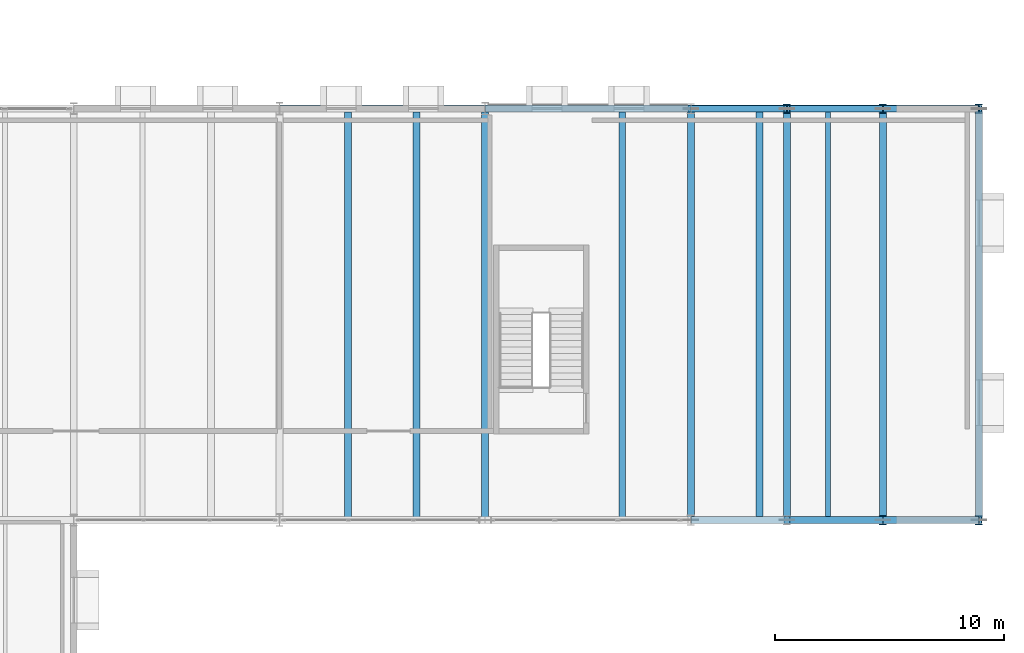
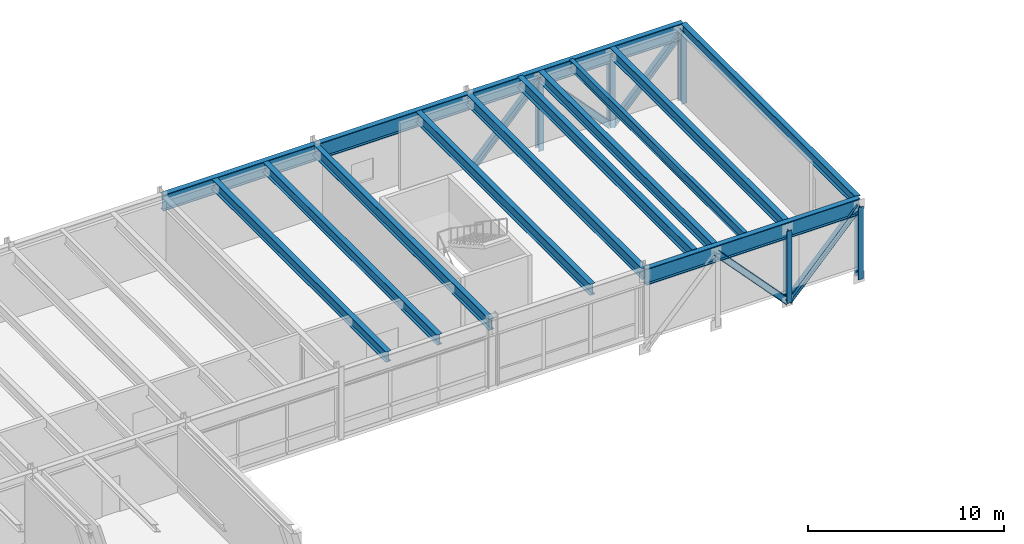
# One storey, part 92 of 142: 14 beams, 10 members.
"""IFC4 building model written with IfcOpenShell, lengths in metres."""

from ifc_helpers import new_model, si_unit, direction, frame, origin, origin_2d, place, context, subcontext, project, spatial, i_section, extrude, material, material_profile, profile_set, type_object, element, save


model = new_model("IFC4")

# Units and contexts
model_context = context("Model", 3, precision=1e-05, world=origin(), true_north=direction((0.0, 1.0)))
body_context = subcontext(model_context, "Body", "Model", "MODEL_VIEW")
ifc_project = project(units=[si_unit("LENGTHUNIT", "METRE"), si_unit("AREAUNIT", "SQUARE_METRE"), si_unit("VOLUMEUNIT", "CUBIC_METRE"), si_unit("PLANEANGLEUNIT", "RADIAN"), si_unit("MASSUNIT", "GRAM", prefix="KILO")], contexts=[model_context])

# Site, building, storey
site_placement = place(None, origin())
site = spatial("IfcSite", under=ifc_project, at=site_placement, CompositionType="ELEMENT")
building_placement = place(site_placement, origin())
building = spatial("IfcBuilding", under=site, at=building_placement, Name="Montelvaro Courts of Justice", CompositionType="ELEMENT")
storey_placement = place(building_placement, frame((0.0, 0.0, 14.39990234375)))
storey = spatial("IfcBuildingStorey", under=building, at=storey_placement, Name="L03", CompositionType="ELEMENT", Elevation=14.39990234375)

# Beams
ifc_material = material(Name="Steel S355", Category="steel")
ifc_material_profile_1 = material_profile(ifc_material, i_section(OverallWidth=0.300048828125, OverallDepth=0.639892578125, WebThickness=0.013427734375, FlangeThickness=0.02587890625, at=origin_2d()), Name="HEA 650")
ifc_profile_set_1 = profile_set([ifc_material_profile_1], Name="Steel S355")
beam_type_1 = type_object("IfcBeamType", Name="Beam_HEA650", PredefinedType="USERDEFINED", material=ifc_profile_set_1)
beam_1_placement = place(storey_placement, frame((150.0, 78.110107421875, 3.880126953125), z_axis=(0.0, 1.0, 0.0), x_axis=(-1.0, 0.0, 0.0)))
element("IfcBeam", 1, at=beam_1_placement, inside=storey, type_object=beam_type_1, Name="Beam B-22 L03", ObjectType="GIRDER", PredefinedType="USERDEFINED", context=body_context, shape_type="SweptSolid", body=[
    extrude(i_section(OverallWidth=0.300048828125, OverallDepth=0.639892578125, WebThickness=0.013427734375, FlangeThickness=0.02587890625, at=origin_2d()), origin(), (0.0, 0.0, 1.0), 17.77978515625),
])
ifc_material_profile_2 = material_profile(ifc_material, i_section(OverallWidth=0.300048828125, OverallDepth=0.68994140625, WebThickness=0.014404296875, FlangeThickness=0.027099609375, at=origin_2d()), Name="HEA 700")
ifc_profile_set_2 = profile_set([ifc_material_profile_2], Name="Steel S355")
beam_type_2 = type_object("IfcBeamType", Name="Beam_HEA700", PredefinedType="USERDEFINED", material=ifc_profile_set_2)
beam_2_placement = place(storey_placement, frame((162.0, 78.0, 3.85498046875), z_axis=(0.0, 1.0, 0.0), x_axis=(-1.0, 0.0, 0.0)))
element("IfcBeam", 2, at=beam_2_placement, inside=storey, type_object=beam_type_2, Name="Beam B-23 L03", ObjectType="GIRDER", PredefinedType="USERDEFINED", context=body_context, shape_type="SweptSolid", body=[
    extrude(i_section(OverallWidth=0.300048828125, OverallDepth=0.68994140625, WebThickness=0.014404296875, FlangeThickness=0.027099609375, at=origin_2d()), origin(), (0.0, 0.0, 1.0), 18.0),
])
for number, where, z_axis, x_axis, name in (
    (3, (159.0, 78.110107421875, 3.85498046875), (0.0, 1.0, 0.0), (-1.0, 0.0, 0.0), "Beam B-23 L03"),
    (4, (165.0, 78.110107421875, 3.905029296875), (0.0, 1.0, 0.0), (-1.0, 0.0, 0.0), "Beam B-23 L03"),
):
    element("IfcBeam", number, at=place(storey_placement, frame(where, z_axis=z_axis, x_axis=x_axis)), inside=storey, type_object=beam_type_2, Name=name, ObjectType="GIRDER", PredefinedType="USERDEFINED", context=body_context, shape_type="SweptSolid", body=[
        extrude(i_section(OverallWidth=0.300048828125, OverallDepth=0.68994140625, WebThickness=0.014404296875, FlangeThickness=0.027099609375, at=origin_2d()), origin(), (0.0, 0.0, 1.0), 17.77978515625),
    ])
ifc_material_profile_3 = material_profile(ifc_material, i_section(OverallWidth=0.300048828125, OverallDepth=0.64990234375, WebThickness=0.01611328125, FlangeThickness=0.031005859375, at=origin_2d()), Name="HEB 650")
ifc_profile_set_3 = profile_set([ifc_material_profile_3], Name="Steel S355")
beam_type_3 = type_object("IfcBeamType", Name="Beam_HEB650", PredefinedType="USERDEFINED", material=ifc_profile_set_3)
for number, where, z_axis, x_axis, name in (
    (5, (166.199951171875, 78.110107421875, 3.875), (0.0, 1.0, 0.0), (-1.0, 0.0, 0.0), "Beam B-27 L03"),
    (6, (170.39990234375, 78.110107421875, 3.875), (0.0, 1.0, 0.0), (-1.0, 0.0, 0.0), "Beam B-27 L03"),
    (7, (174.60009765625, 78.110107421875, 3.875), (0.0, 1.0, 0.0), (-1.0, 0.0, 0.0), "Beam B-27 L03"),
    (8, (147.0, 78.110107421875, 3.875), (0.0, 1.0, 0.0), (-1.0, 0.0, 0.0), "Beam B-27 L03"),
):
    element("IfcBeam", number, at=place(storey_placement, frame(where, z_axis=z_axis, x_axis=x_axis)), inside=storey, type_object=beam_type_3, Name=name, ObjectType="GIRDER", PredefinedType="USERDEFINED", context=body_context, shape_type="SweptSolid", body=[
        extrude(i_section(OverallWidth=0.300048828125, OverallDepth=0.64990234375, WebThickness=0.01611328125, FlangeThickness=0.031005859375, at=origin_2d()), origin(), (0.0, 0.0, 1.0), 17.77978515625),
    ])
ifc_material_profile_4 = material_profile(ifc_material, i_section(OverallWidth=0.300048828125, OverallDepth=0.699951171875, WebThickness=0.01708984375, FlangeThickness=0.031982421875, at=origin_2d()), Name="HEB 700")
ifc_profile_set_4 = profile_set([ifc_material_profile_4], Name="Steel S355")
beam_type_4 = type_object("IfcBeamType", Name="Beam_HEB700", PredefinedType="USERDEFINED", material=ifc_profile_set_4)
beam_3_placement = place(storey_placement, frame((153.0, 78.0, 3.85009765625), z_axis=(0.0, 1.0, 0.0), x_axis=(-1.0, 0.0, 0.0)))
element("IfcBeam", 9, at=beam_3_placement, inside=storey, type_object=beam_type_4, Name="Beam B-28 L03", ObjectType="GIRDER", PredefinedType="USERDEFINED", context=body_context, shape_type="SweptSolid", body=[
    extrude(i_section(OverallWidth=0.300048828125, OverallDepth=0.699951171875, WebThickness=0.01708984375, FlangeThickness=0.031982421875, at=origin_2d()), origin(), (0.0, 0.0, 1.0), 18.0),
])
ifc_material_profile_5 = material_profile(ifc_material, i_section(OverallWidth=0.302001953125, OverallDepth=1.008056640625, WebThickness=0.02099609375, FlangeThickness=0.0400390625, at=origin_2d()), Name="HEM 1000")
ifc_profile_set_5 = profile_set([ifc_material_profile_5], Name="Steel S355")
beam_type_5 = type_object("IfcBeamType", Name="Beam_HEM1000", PredefinedType="USERDEFINED", material=ifc_profile_set_5)
beam_4_placement = place(storey_placement, frame((162.0, 78.0, 3.696044921875), z_axis=(1.0, 0.0, 0.0), x_axis=(0.0, 1.0, 0.0)))
element("IfcBeam", 10, at=beam_4_placement, inside=storey, type_object=beam_type_5, Name="Pratt Cantilever Truss Chord CTR-V2-S-L04-OVH", ObjectType="GIRDER", PredefinedType="USERDEFINED", context=body_context, shape_type="SweptSolid", body=[
    extrude(i_section(OverallWidth=0.302001953125, OverallDepth=1.008056640625, WebThickness=0.02099609375, FlangeThickness=0.0400390625, at=origin_2d()), origin(), (0.0, 0.0, 1.0), 12.60009765625),
])
for number, where, z_axis, x_axis, name in (
    (11, (144.0, 96.0, 3.696044921875), (1.0, 0.0, 0.0), (0.0, 1.0, 0.0), "Pratt Cantilever Truss Chord CTR-V2-N-L04-BS2"),
    (12, (153.0, 96.0, 3.696044921875), (1.0, 0.0, 0.0), (0.0, 1.0, 0.0), "Pratt Cantilever Truss Chord CTR-V2-N-L04-BS3"),
):
    element("IfcBeam", number, at=place(storey_placement, frame(where, z_axis=z_axis, x_axis=x_axis)), inside=storey, type_object=beam_type_5, Name=name, ObjectType="GIRDER", PredefinedType="USERDEFINED", context=body_context, shape_type="SweptSolid", body=[
        extrude(i_section(OverallWidth=0.302001953125, OverallDepth=1.008056640625, WebThickness=0.02099609375, FlangeThickness=0.0400390625, at=origin_2d()), origin(), (0.0, 0.0, 1.0), 9.0),
    ])
beam_5_placement = place(storey_placement, frame((162.0, 96.0, 3.696044921875), z_axis=(1.0, 0.0, 0.0), x_axis=(0.0, 1.0, 0.0)))
element("IfcBeam", 13, at=beam_5_placement, inside=storey, type_object=beam_type_5, Name="Pratt Cantilever Truss Chord CTR-V2-N-L04-OVH", ObjectType="GIRDER", PredefinedType="USERDEFINED", context=body_context, shape_type="SweptSolid", body=[
    extrude(i_section(OverallWidth=0.302001953125, OverallDepth=1.008056640625, WebThickness=0.02099609375, FlangeThickness=0.0400390625, at=origin_2d()), origin(), (0.0, 0.0, 1.0), 12.60009765625),
])
ifc_material_profile_6 = material_profile(ifc_material, i_section(OverallWidth=0.219970703125, OverallDepth=0.60009765625, WebThickness=0.011962890625, FlangeThickness=0.01904296875, at=origin_2d()), Name="IPE 600")
ifc_profile_set_6 = profile_set([ifc_material_profile_6], Name="Steel S355")
beam_type_6 = type_object("IfcBeamType", Name="Beam_IPE600", PredefinedType="USERDEFINED", material=ifc_profile_set_6)
beam_6_placement = place(storey_placement, frame((168.0, 78.110107421875, 3.9501953125), z_axis=(0.0, 1.0, 0.0), x_axis=(-1.0, 0.0, 0.0)))
element("IfcBeam", 14, at=beam_6_placement, inside=storey, type_object=beam_type_6, Name="Beam B-12 L03", ObjectType="GIRDER", PredefinedType="USERDEFINED", context=body_context, shape_type="SweptSolid", body=[
    extrude(i_section(OverallWidth=0.219970703125, OverallDepth=0.60009765625, WebThickness=0.011962890625, FlangeThickness=0.01904296875, at=origin_2d()), origin(), (0.0, 0.0, 1.0), 17.77978515625),
])

# Members
ifc_material_profile_7 = material_profile(ifc_material, i_section(OverallWidth=0.300048828125, OverallDepth=0.360107421875, WebThickness=0.012451171875, FlangeThickness=0.0224609375, at=origin_2d()), Name="HEB 360")
ifc_profile_set_7 = profile_set([ifc_material_profile_7], Name="Steel S355")
member_type_1 = type_object("IfcMemberType", Name="Mem_HEB360_Brace", PredefinedType="BRACE", material=ifc_profile_set_7)
for number, where, z_axis, x_axis, name in (
    (15, (166.199951171875, 78.0, 3.696044921875), (0.682314010889, 0.0, -0.73105922506), (0.0, 1.0, 0.0), "Pratt Cantilever Truss Diagonal MB-01 CTR-V2-S-L03-D5"),
    (16, (170.39990234375, 78.0, -0.803955078125), (0.682335207557, 0.0, 0.731039441158), (0.0, 1.0, 0.0), "Pratt Cantilever Truss Diagonal MB-01 CTR-V2-S-L03-D6"),
    (17, (162.0, 96.0, -0.803955078125), (0.682314010889, 0.0, 0.73105922506), (0.0, 1.0, 0.0), "Pratt Cantilever Truss Diagonal MB-01 CTR-V2-N-L03-D4"),
    (18, (166.199951171875, 96.0, 3.696044921875), (0.682314010889, 0.0, -0.73105922506), (0.0, 1.0, 0.0), "Pratt Cantilever Truss Diagonal MB-01 CTR-V2-N-L03-D5"),
    (19, (170.39990234375, 96.0, -0.803955078125), (0.682335207557, 0.0, 0.731039441158), (0.0, 1.0, 0.0), "Pratt Cantilever Truss Diagonal MB-01 CTR-V2-N-L03-D6"),
):
    element("IfcMember", number, at=place(storey_placement, frame(where, z_axis=z_axis, x_axis=x_axis)), inside=storey, type_object=member_type_1, Name=name, PredefinedType="BRACE", context=body_context, shape_type="SweptSolid", body=[
        extrude(i_section(OverallWidth=0.300048828125, OverallDepth=0.360107421875, WebThickness=0.012451171875, FlangeThickness=0.0224609375, at=origin_2d()), origin(), (0.0, 0.0, 1.0), 6.155517578125),
    ])
ifc_material_profile_8 = material_profile(ifc_material, i_section(OverallWidth=0.300048828125, OverallDepth=0.39990234375, WebThickness=0.013427734375, FlangeThickness=0.02392578125, at=origin_2d()), Name="HEB 400")
ifc_profile_set_8 = profile_set([ifc_material_profile_8], Name="Steel S355")
member_type_2 = type_object("IfcMemberType", Name="Mem_HEB400_Post", PredefinedType="POST", material=ifc_profile_set_8)
for number, where, z_axis, x_axis, name in (
    (20, (170.39990234375, 78.0, -0.803955078125), (0.0, 0.0, 1.0), (1.0, 0.0, 0.0), "Pratt Cantilever Truss Post MP-01 CTR-V2-S-L03-2"),
    (21, (174.60009765625, 78.0, -0.803955078125), (0.0, 0.0, 1.0), (1.0, 0.0, 0.0), "Pratt Cantilever Truss Post MP-01 CTR-V2-S-L03-3"),
    (22, (166.199951171875, 96.0, -0.803955078125), (0.0, 0.0, 1.0), (1.0, 0.0, 0.0), "Pratt Cantilever Truss Post MP-01 CTR-V2-N-L03-1"),
    (23, (170.39990234375, 96.0, -0.803955078125), (0.0, 0.0, 1.0), (1.0, 0.0, 0.0), "Pratt Cantilever Truss Post MP-01 CTR-V2-N-L03-2"),
    (24, (174.60009765625, 96.0, -0.803955078125), (0.0, 0.0, 1.0), (1.0, 0.0, 0.0), "Pratt Cantilever Truss Post MP-01 CTR-V2-N-L03-3"),
):
    element("IfcMember", number, at=place(storey_placement, frame(where, z_axis=z_axis, x_axis=x_axis)), inside=storey, type_object=member_type_2, Name=name, PredefinedType="POST", context=body_context, shape_type="SweptSolid", body=[
        extrude(i_section(OverallWidth=0.300048828125, OverallDepth=0.39990234375, WebThickness=0.013427734375, FlangeThickness=0.02392578125, at=origin_2d()), origin(), (0.0, 0.0, 1.0), 4.5),
    ])

save(model, "model.ifc")
